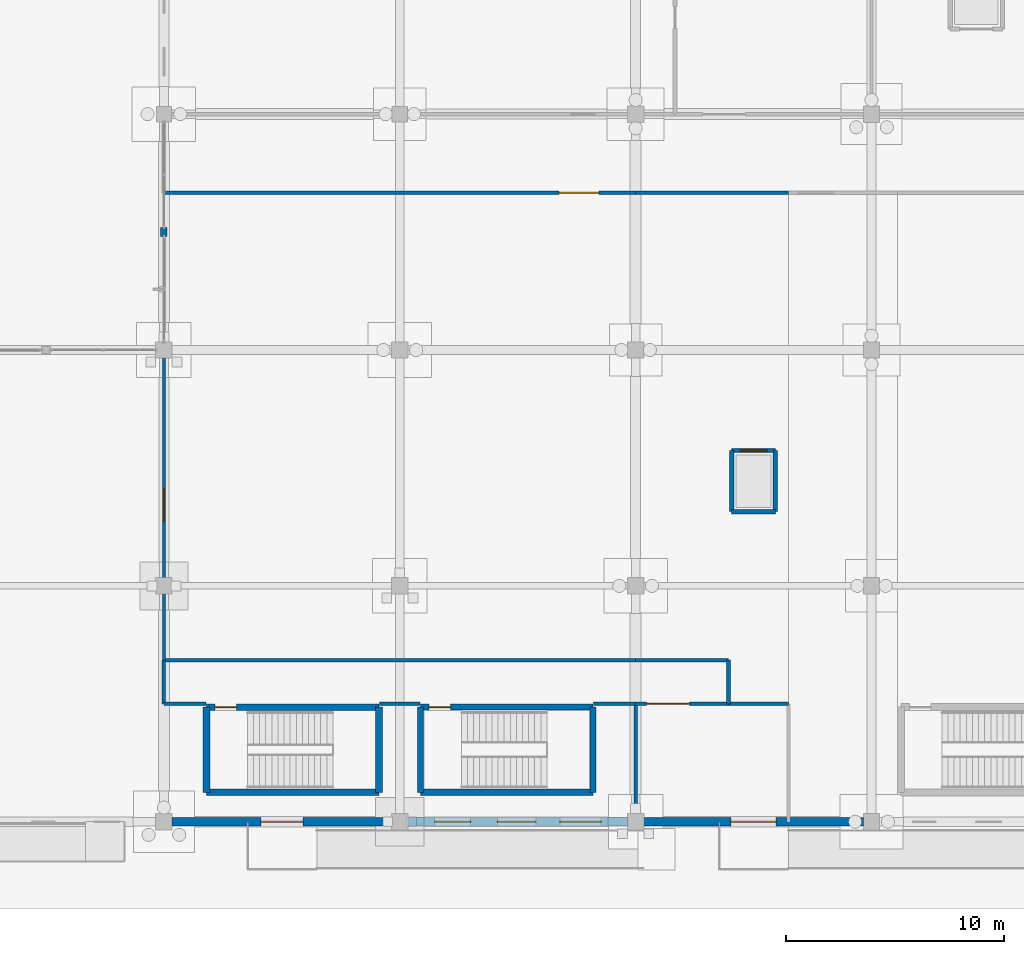
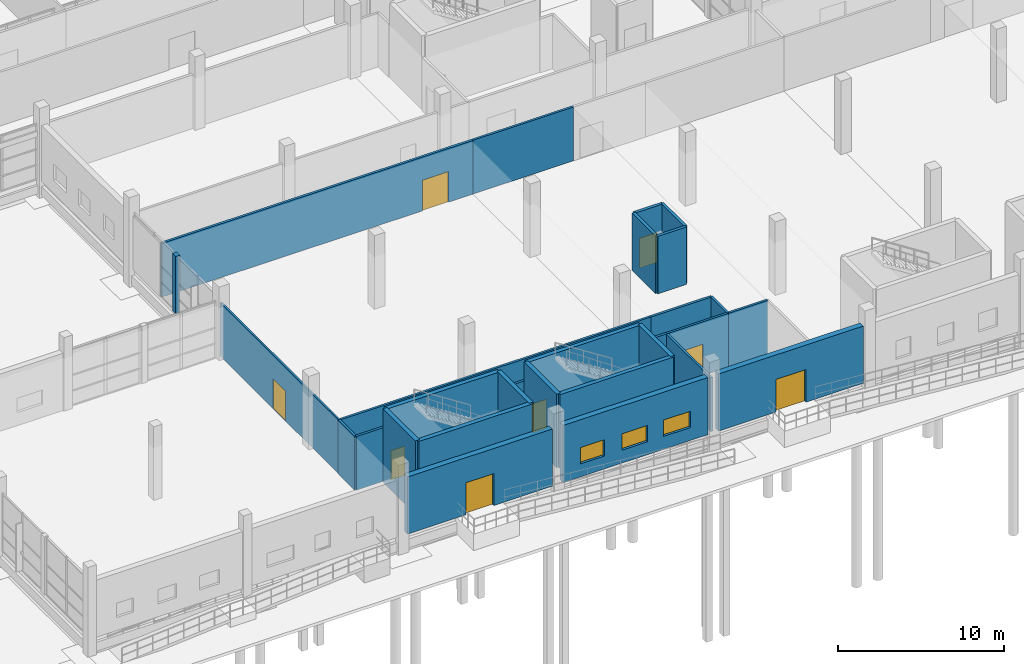
# One storey, part 107 of 138: 29 walls, 8 doors, 3 windows, 11 openings.
"""IFC4 building model written with IfcOpenShell, lengths in metres."""

from ifc_helpers import new_model, si_unit, direction, frame, frame_2d, origin, place, context, subcontext, project, spatial, rectangle, extrude, material, layer, layer_set, type_object, element, fill, save


model = new_model("IFC4")

# Units and contexts
model_context = context("Model", 3, precision=1e-05, world=origin(), true_north=direction((0.0, 1.0)))
body_context = subcontext(model_context, "Body", "Model", "MODEL_VIEW")
ifc_project = project(units=[si_unit("LENGTHUNIT", "METRE"), si_unit("AREAUNIT", "SQUARE_METRE"), si_unit("VOLUMEUNIT", "CUBIC_METRE"), si_unit("PLANEANGLEUNIT", "RADIAN"), si_unit("MASSUNIT", "GRAM", prefix="KILO")], contexts=[model_context])

# Site, building, storey
site_placement = place(None, origin())
site = spatial("IfcSite", under=ifc_project, at=site_placement, CompositionType="ELEMENT")
building_placement = place(site_placement, origin())
building = spatial("IfcBuilding", under=site, at=building_placement, Name="Zwinboog Wholesale Market", CompositionType="ELEMENT")
storey_placement = place(building_placement, origin())
storey = spatial("IfcBuildingStorey", under=building, at=storey_placement, Name="L00", CompositionType="ELEMENT", Elevation=0.0)

# Wall, opening, door
ifc_material_1 = material(Name="Precast concrete C45/55", Category="concrete")
ifc_layer_1 = layer(ifc_material_1, 0.389892578125)
ifc_layer_set_1 = layer_set([ifc_layer_1], Name="Precast concrete C45/55")
wall_type_1 = type_object("IfcWallType", Name="WT-EW-390", PredefinedType="STANDARD", material=ifc_layer_set_1)
wall_1_placement = place(storey_placement, frame((129.969970703125, 0.0, 0.0), z_axis=(0.0, 0.0, 1.0), x_axis=(1.0, 0.0, 0.0)))
wall_1 = element("IfcWall", 1, at=wall_1_placement, inside=storey, type_object=wall_type_1, Name="EW-02 (WL-EW-L00-051)", PredefinedType="STANDARD", context=body_context, shape_type="SweptSolid", body=[
    extrude(rectangle(XDim=10.06005859375, YDim=0.389892578125, at=frame_2d((5.030029296875, 0.0))), origin(), (0.0, 0.0, 1.0), 4.197998046875),
])
opening_1_placement = place(wall_1_placement, frame((4.070068359375, 0.0, 0.0)))
opening_1 = element("IfcOpeningElement", 2, at=opening_1_placement, cuts=wall_1, Name="Opening EX-09", PredefinedType="OPENING", context=body_context, shape_type="SweptSolid", body=[
    extrude(rectangle(XDim=1.919921875, YDim=2.35009765625, at=frame_2d((0.9599609375, 1.175048828125))), frame((0.0, 0.204833984375, 0.0), z_axis=(0.0, -1.0, 0.0), x_axis=(1.0, 0.0, 0.0)), (0.0, 0.0, 1.0), 0.409912109375),
])
ifc_material_2 = material(Name="Insulated powder-coated steel and aluminium door", Category="steel")
door_type_1 = type_object("IfcDoorType", Name="EDT-EX-192", OperationType="DOUBLE_DOOR_SINGLE_SWING", PredefinedType="DOOR", material=ifc_material_2)
door_1_placement = place(opening_1_placement, frame((1.919921875, 0.0, 0.0), z_axis=(0.0, 0.0, 1.0), x_axis=(-1.0, 0.0, 0.0)))
door_1 = element("IfcDoor", 3, at=door_1_placement, inside=storey, type_object=door_type_1, Name="Pedestrian Exit Door EX-09", OperationType="DOUBLE_DOOR_SINGLE_SWING", OverallHeight=2.35009765625, OverallWidth=1.919921875, PredefinedType="DOOR", context=body_context, shape_type="SweptSolid", body=[
    extrude(rectangle(XDim=1.919921875, YDim=2.35009765625, at=frame_2d((0.9599609375, 1.175048828125))), frame((0.0, 0.02490234375, 0.0), z_axis=(0.0, -1.0, 0.0), x_axis=(1.0, 0.0, 0.0)), (0.0, 0.0, 1.0), 0.050048828125),
])
fill(opening_1, door_1)

# Wall, openings, windows
wall_2_placement = place(storey_placement, frame((140.77001953125, 0.0, 0.0), z_axis=(0.0, 0.0, 1.0), x_axis=(1.0, 0.0, 0.0)))
wall_2 = element("IfcWall", 4, at=wall_2_placement, inside=storey, type_object=wall_type_1, Name="EW-02 (WL-EW-L00-055)", PredefinedType="STANDARD", context=body_context, shape_type="SweptSolid", body=[
    extrude(rectangle(XDim=10.06005859375, YDim=0.389892578125, at=frame_2d((5.030029296875, 0.0))), origin(), (0.0, 0.0, 1.0), 4.197998046875),
])
opening_2_placement = place(wall_2_placement, frame((1.22509765625, 0.0, 0.949951171875)))
opening_2 = element("IfcOpeningElement", 5, at=opening_2_placement, cuts=wall_2, Name="Opening WN-22", PredefinedType="OPENING", context=body_context, shape_type="SweptSolid", body=[
    extrude(rectangle(XDim=1.64990234375, YDim=1.199951171875, at=frame_2d((0.824951171875, 0.60009765625))), frame((0.0, 0.204833984375, 0.0), z_axis=(0.0, -1.0, 0.0), x_axis=(1.0, 0.0, 0.0)), (0.0, 0.0, 1.0), 0.409912109375),
])
opening_3_placement = place(wall_2_placement, frame((4.094970703125, 0.0, 0.949951171875)))
opening_3 = element("IfcOpeningElement", 6, at=opening_3_placement, cuts=wall_2, Name="Opening WN-23", PredefinedType="OPENING", context=body_context, shape_type="SweptSolid", body=[
    extrude(rectangle(XDim=1.77001953125, YDim=1.199951171875, at=frame_2d((0.885009765625, 0.60009765625))), frame((0.0, 0.204833984375, 0.0), z_axis=(0.0, -1.0, 0.0), x_axis=(1.0, 0.0, 0.0)), (0.0, 0.0, 1.0), 0.409912109375),
])
opening_4_placement = place(wall_2_placement, frame((6.965087890625, 0.0, 0.949951171875)))
opening_4 = element("IfcOpeningElement", 7, at=opening_4_placement, cuts=wall_2, Name="Opening WN-24", PredefinedType="OPENING", context=body_context, shape_type="SweptSolid", body=[
    extrude(rectangle(XDim=1.889892578125, YDim=1.199951171875, at=frame_2d((0.94482421875, 0.60009765625))), frame((0.0, 0.204833984375, 0.0), z_axis=(0.0, -1.0, 0.0), x_axis=(1.0, 0.0, 0.0)), (0.0, 0.0, 1.0), 0.409912109375),
])
ifc_material_3 = material(Name="Thermally broken aluminium low-e window", Category="aluminium")
window_type_1 = type_object("IfcWindowType", Name="WNT-22", PartitioningType="SINGLE_PANEL", PredefinedType="WINDOW", material=ifc_material_3)
window_1_placement = place(opening_2_placement, frame((1.64990234375, 0.0, 0.0), z_axis=(0.0, 0.0, 1.0), x_axis=(-1.0, 0.0, 0.0)))
window_1 = element("IfcWindow", 8, at=window_1_placement, inside=storey, type_object=window_type_1, Name="WN-22 (WIN-L00-0022)", OverallHeight=1.199951171875, OverallWidth=1.64990234375, PartitioningType="SINGLE_PANEL", PredefinedType="WINDOW", context=body_context, shape_type="SweptSolid", body=[
    extrude(rectangle(XDim=1.64990234375, YDim=1.199951171875, at=frame_2d((0.824951171875, 0.60009765625))), frame((0.0, 0.030029296875, 0.0), z_axis=(0.0, -1.0, 0.0), x_axis=(1.0, 0.0, 0.0)), (0.0, 0.0, 1.0), 0.06005859375),
])
fill(opening_2, window_1)
window_type_2 = type_object("IfcWindowType", Name="WNT-23", PartitioningType="SINGLE_PANEL", PredefinedType="WINDOW", material=ifc_material_3)
window_2_placement = place(opening_3_placement, frame((1.77001953125, 0.0, 0.0), z_axis=(0.0, 0.0, 1.0), x_axis=(-1.0, 0.0, 0.0)))
window_2 = element("IfcWindow", 9, at=window_2_placement, inside=storey, type_object=window_type_2, Name="WN-23 (WIN-L00-0023)", OverallHeight=1.199951171875, OverallWidth=1.77001953125, PartitioningType="SINGLE_PANEL", PredefinedType="WINDOW", context=body_context, shape_type="SweptSolid", body=[
    extrude(rectangle(XDim=1.77001953125, YDim=1.199951171875, at=frame_2d((0.885009765625, 0.60009765625))), frame((0.0, 0.030029296875, 0.0), z_axis=(0.0, -1.0, 0.0), x_axis=(1.0, 0.0, 0.0)), (0.0, 0.0, 1.0), 0.06005859375),
])
fill(opening_3, window_2)
window_type_3 = type_object("IfcWindowType", Name="WNT-24", PartitioningType="SINGLE_PANEL", PredefinedType="WINDOW", material=ifc_material_3)
window_3_placement = place(opening_4_placement, frame((1.889892578125, 0.0, 0.0), z_axis=(0.0, 0.0, 1.0), x_axis=(-1.0, 0.0, 0.0)))
window_3 = element("IfcWindow", 10, at=window_3_placement, inside=storey, type_object=window_type_3, Name="WN-24 (WIN-L00-0024)", OverallHeight=1.199951171875, OverallWidth=1.889892578125, PartitioningType="SINGLE_PANEL", PredefinedType="WINDOW", context=body_context, shape_type="SweptSolid", body=[
    extrude(rectangle(XDim=1.889892578125, YDim=1.199951171875, at=frame_2d((0.94482421875, 0.60009765625))), frame((0.0, 0.030029296875, 0.0), z_axis=(0.0, -1.0, 0.0), x_axis=(1.0, 0.0, 0.0)), (0.0, 0.0, 1.0), 0.06005859375),
])
fill(opening_4, window_3)

# Wall, opening, door
wall_3_placement = place(storey_placement, frame((151.570068359375, 0.0, 0.0), z_axis=(0.0, 0.0, 1.0), x_axis=(1.0, 0.0, 0.0)))
wall_3 = element("IfcWall", 11, at=wall_3_placement, inside=storey, type_object=wall_type_1, Name="EW-02 (WL-EW-L00-057)", PredefinedType="STANDARD", context=body_context, shape_type="SweptSolid", body=[
    extrude(rectangle(XDim=10.059814453125, YDim=0.389892578125, at=frame_2d((5.02978515625, 0.0))), origin(), (0.0, 0.0, 1.0), 4.197998046875),
])
opening_5_placement = place(wall_3_placement, frame((4.0, 0.0, 0.0)))
opening_5 = element("IfcOpeningElement", 12, at=opening_5_placement, cuts=wall_3, Name="Opening EX-10", PredefinedType="OPENING", context=body_context, shape_type="SweptSolid", body=[
    extrude(rectangle(XDim=2.06005859375, YDim=2.39990234375, at=frame_2d((1.030029296875, 1.199951171875))), frame((0.0, 0.204833984375, 0.0), z_axis=(0.0, -1.0, 0.0), x_axis=(1.0, 0.0, 0.0)), (0.0, 0.0, 1.0), 0.409912109375),
])
door_type_2 = type_object("IfcDoorType", Name="EDT-EX-206", OperationType="DOUBLE_DOOR_SINGLE_SWING", PredefinedType="DOOR", material=ifc_material_2)
door_2_placement = place(opening_5_placement, frame((2.06005859375, 0.0, 0.0), z_axis=(0.0, 0.0, 1.0), x_axis=(-1.0, 0.0, 0.0)))
door_2 = element("IfcDoor", 13, at=door_2_placement, inside=storey, type_object=door_type_2, Name="Pedestrian Exit Door EX-10", OperationType="DOUBLE_DOOR_SINGLE_SWING", OverallHeight=2.39990234375, OverallWidth=2.06005859375, PredefinedType="DOOR", context=body_context, shape_type="SweptSolid", body=[
    extrude(rectangle(XDim=2.06005859375, YDim=2.39990234375, at=frame_2d((1.030029296875, 1.199951171875))), frame((0.0, 0.02490234375, 0.0), z_axis=(0.0, -1.0, 0.0), x_axis=(1.0, 0.0, 0.0)), (0.0, 0.0, 1.0), 0.050048828125),
])
fill(opening_5, door_2)

# Walls
ifc_layer_2 = layer(ifc_material_1, 0.304931640625)
ifc_layer_set_2 = layer_set([ifc_layer_2], Name="Precast concrete C45/55")
wall_type_2 = type_object("IfcWallType", Name="WT-EW-305", PredefinedType="STANDARD", material=ifc_layer_set_2)
wall_4_placement = place(storey_placement, frame((129.60009765625, 26.800048828125, 0.0), z_axis=(0.0, 0.0, 1.0), x_axis=(0.0, 1.0, 0.0)))
element("IfcWall", 14, at=wall_4_placement, inside=storey, type_object=wall_type_2, Name="EW-07 (WL-PIER-L00-052)", PredefinedType="STANDARD", context=body_context, shape_type="SweptSolid", body=[
    extrude(rectangle(XDim=0.39990234375, YDim=0.304931640625, at=frame_2d((0.199951171875, 0.0))), origin(), (0.0, 0.0, 1.0), 4.197998046875),
])
ifc_material_4 = material(Name="Concrete C40/50", Category="concrete")
ifc_layer_3 = layer(ifc_material_4, 0.280029296875)
ifc_layer_set_3 = layer_set([ifc_layer_3], Name="Concrete C40/50")
wall_type_3 = type_object("IfcWallType", Name="WT-SW-280", PredefinedType="SHEAR", material=ifc_layer_set_3)
wall_5_placement = place(storey_placement, frame((141.35009765625, 1.35009765625, 0.0), z_axis=(0.0, 0.0, 1.0), x_axis=(1.0, 0.0, 0.0)))
element("IfcWall", 15, at=wall_5_placement, inside=storey, type_object=wall_type_3, Name="SW-01 (WL-SW-L00-129)", PredefinedType="SHEAR", context=body_context, shape_type="SweptSolid", body=[
    extrude(rectangle(XDim=7.89990234375, YDim=0.280029296875, at=frame_2d((3.949951171875, 0.0))), origin(), (0.0, 0.0, 1.0), 5.39990234375),
])

# Wall, opening, door
wall_6_placement = place(storey_placement, frame((141.35009765625, 5.25, 0.0), z_axis=(0.0, 0.0, 1.0), x_axis=(1.0, 0.0, 0.0)))
wall_6 = element("IfcWall", 16, at=wall_6_placement, inside=storey, type_object=wall_type_3, Name="SW-01 (WL-SW-L00-130)", PredefinedType="SHEAR", context=body_context, shape_type="SweptSolid", body=[
    extrude(rectangle(XDim=7.89990234375, YDim=0.280029296875, at=frame_2d((3.949951171875, 0.0))), origin(), (0.0, 0.0, 1.0), 5.39990234375),
])
opening_6_placement = place(wall_6_placement, frame((0.3798828125, 0.0, 0.0)))
opening_6 = element("IfcOpeningElement", 17, at=opening_6_placement, cuts=wall_6, Name="Opening FD-0033", PredefinedType="OPENING", context=body_context, shape_type="SweptSolid", body=[
    extrude(rectangle(XDim=1.0, YDim=2.14990234375, at=frame_2d((0.5, 1.074951171875))), frame((0.0, 0.14990234375, 0.0), z_axis=(0.0, -1.0, 0.0), x_axis=(1.0, 0.0, 0.0)), (0.0, 0.0, 1.0), 0.300048828125),
])
ifc_material_5 = material(Name="Timber and powder-coated steel door leaf", Category="steel")
door_type_3 = type_object("IfcDoorType", Name="IDT-FD-01", OperationType="NOTDEFINED", PredefinedType="DOOR", material=ifc_material_5)
door_3_placement = place(opening_6_placement, frame((1.0, 0.0, 0.0), z_axis=(0.0, 0.0, 1.0), x_axis=(-1.0, 0.0, 0.0)))
door_3 = element("IfcDoor", 18, at=door_3_placement, inside=storey, type_object=door_type_3, Name="Core Fire Door FD-0033", OperationType="SINGLE_SWING_RIGHT", OverallHeight=2.14990234375, OverallWidth=1.0, PredefinedType="DOOR", context=body_context, shape_type="SweptSolid", body=[
    extrude(rectangle(XDim=1.0, YDim=2.14990234375, at=frame_2d((0.5, 1.074951171875))), frame((0.0, 0.02490234375, 0.0), z_axis=(0.0, -1.0, 0.0), x_axis=(1.0, 0.0, 0.0)), (0.0, 0.0, 1.0), 0.050048828125),
])
fill(opening_6, door_3)

# Walls
for number, where, z_axis, x_axis, name in (
    (19, (141.35009765625, 1.35009765625, 0.0), (0.0, 0.0, 1.0), (0.0, 1.0, 0.0), "SW-01 (WL-SW-L00-131)"),
    (20, (149.25, 1.35009765625, 0.0), (0.0, 0.0, 1.0), (0.0, 1.0, 0.0), "SW-01 (WL-SW-L00-132)"),
):
    element("IfcWall", number, at=place(storey_placement, frame(where, z_axis=z_axis, x_axis=x_axis)), inside=storey, type_object=wall_type_3, Name=name, PredefinedType="SHEAR", context=body_context, shape_type="SweptSolid", body=[
        extrude(rectangle(XDim=3.89990234375, YDim=0.280029296875, at=frame_2d((1.949951171875, 0.0))), origin(), (0.0, 0.0, 1.0), 5.39990234375),
    ])
ifc_layer_4 = layer(ifc_material_4, 0.300048828125)
ifc_layer_set_4 = layer_set([ifc_layer_4], Name="Concrete C40/50")
wall_type_4 = type_object("IfcWallType", Name="WT-SW-300", PredefinedType="SHEAR", material=ifc_layer_set_4)
wall_7_placement = place(storey_placement, frame((131.550048828125, 1.35009765625, 0.0), z_axis=(0.0, 0.0, 1.0), x_axis=(1.0, 0.0, 0.0)))
element("IfcWall", 21, at=wall_7_placement, inside=storey, type_object=wall_type_4, Name="SW-02 (WL-SW-L00-081)", PredefinedType="SHEAR", context=body_context, shape_type="SweptSolid", body=[
    extrude(rectangle(XDim=7.89990234375, YDim=0.300048828125, at=frame_2d((3.949951171875, 0.0))), origin(), (0.0, 0.0, 1.0), 5.39990234375),
])

# Wall, opening, door
wall_8_placement = place(storey_placement, frame((131.550048828125, 5.25, 0.0), z_axis=(0.0, 0.0, 1.0), x_axis=(1.0, 0.0, 0.0)))
wall_8 = element("IfcWall", 22, at=wall_8_placement, inside=storey, type_object=wall_type_4, Name="SW-02 (WL-SW-L00-082)", PredefinedType="SHEAR", context=body_context, shape_type="SweptSolid", body=[
    extrude(rectangle(XDim=7.89990234375, YDim=0.300048828125, at=frame_2d((3.949951171875, 0.0))), origin(), (0.0, 0.0, 1.0), 5.39990234375),
])
opening_7_placement = place(wall_8_placement, frame((0.3798828125, 0.0, 0.0)))
opening_7 = element("IfcOpeningElement", 23, at=opening_7_placement, cuts=wall_8, Name="Opening FD-0021", PredefinedType="OPENING", context=body_context, shape_type="SweptSolid", body=[
    extrude(rectangle(XDim=1.0, YDim=2.14990234375, at=frame_2d((0.5, 1.074951171875))), frame((0.0, 0.159912109375, 0.0), z_axis=(0.0, -1.0, 0.0), x_axis=(1.0, 0.0, 0.0)), (0.0, 0.0, 1.0), 0.320068359375),
])
door_4_placement = place(opening_7_placement, frame((1.0, 0.0, 0.0), z_axis=(0.0, 0.0, 1.0), x_axis=(-1.0, 0.0, 0.0)))
door_4 = element("IfcDoor", 24, at=door_4_placement, inside=storey, type_object=door_type_3, Name="Core Fire Door FD-0021", OperationType="SINGLE_SWING_RIGHT", OverallHeight=2.14990234375, OverallWidth=1.0, PredefinedType="DOOR", context=body_context, shape_type="SweptSolid", body=[
    extrude(rectangle(XDim=1.0, YDim=2.14990234375, at=frame_2d((0.5, 1.074951171875))), frame((0.0, 0.02490234375, 0.0), z_axis=(0.0, -1.0, 0.0), x_axis=(1.0, 0.0, 0.0)), (0.0, 0.0, 1.0), 0.050048828125),
])
fill(opening_7, door_4)

# Walls
for number, where, z_axis, x_axis, name in (
    (25, (131.550048828125, 1.35009765625, 0.0), (0.0, 0.0, 1.0), (0.0, 1.0, 0.0), "SW-02 (WL-SW-L00-083)"),
    (26, (139.449951171875, 1.35009765625, 0.0), (0.0, 0.0, 1.0), (0.0, 1.0, 0.0), "SW-02 (WL-SW-L00-084)"),
):
    element("IfcWall", number, at=place(storey_placement, frame(where, z_axis=z_axis, x_axis=x_axis)), inside=storey, type_object=wall_type_4, Name=name, PredefinedType="SHEAR", context=body_context, shape_type="SweptSolid", body=[
        extrude(rectangle(XDim=3.89990234375, YDim=0.300048828125, at=frame_2d((1.949951171875, 0.0))), origin(), (0.0, 0.0, 1.0), 5.39990234375),
    ])
ifc_layer_5 = layer(ifc_material_1, 0.199951171875)
ifc_layer_set_5 = layer_set([ifc_layer_5], Name="Precast concrete C45/55")
wall_type_5 = type_object("IfcWallType", Name="WT-IW-200", PredefinedType="SOLIDWALL", material=ifc_layer_set_5)
wall_9_placement = place(storey_placement, frame((155.60009765625, 14.199951171875, 0.0), z_axis=(0.0, 0.0, 1.0), x_axis=(1.0, 0.0, 0.0)))
element("IfcWall", 27, at=wall_9_placement, inside=storey, type_object=wall_type_5, Name="IW-60 (WL-LSH-L00-213)", PredefinedType="SOLIDWALL", context=body_context, shape_type="SweptSolid", body=[
    extrude(rectangle(XDim=2.0, YDim=0.199951171875, at=frame_2d((1.0, 0.0))), origin(), (0.0, 0.0, 1.0), 4.219970703125),
])

# Wall, opening, door
wall_10_placement = place(storey_placement, frame((155.60009765625, 17.0, 0.0), z_axis=(0.0, 0.0, 1.0), x_axis=(1.0, 0.0, 0.0)))
wall_10 = element("IfcWall", 28, at=wall_10_placement, inside=storey, type_object=wall_type_5, Name="IW-60 (WL-LSH-L00-214)", PredefinedType="SOLIDWALL", context=body_context, shape_type="SweptSolid", body=[
    extrude(rectangle(XDim=2.0, YDim=0.199951171875, at=frame_2d((1.0, 0.0))), origin(), (0.0, 0.0, 1.0), 4.219970703125),
])
opening_8_placement = place(wall_10_placement, frame((0.389892578125, 0.0, 0.0)))
opening_8 = element("IfcOpeningElement", 29, at=opening_8_placement, cuts=wall_10, Name="Opening LD-012", PredefinedType="OPENING", context=body_context, shape_type="SweptSolid", body=[
    extrude(rectangle(XDim=1.219970703125, YDim=2.199951171875, at=frame_2d((0.60986328125, 1.10009765625))), frame((0.0, 0.10986328125, 0.0), z_axis=(0.0, -1.0, 0.0), x_axis=(1.0, 0.0, 0.0)), (0.0, 0.0, 1.0), 0.219970703125),
])
door_type_4 = type_object("IfcDoorType", Name="IDT-LD-120", OperationType="DOUBLE_DOOR_SLIDING", PredefinedType="DOOR", material=ifc_material_5)
door_5_placement = place(opening_8_placement, origin())
door_5 = element("IfcDoor", 30, at=door_5_placement, inside=storey, type_object=door_type_4, Name="Lift Landing Door LD-012 (LP-06)", OperationType="DOUBLE_DOOR_SLIDING", OverallHeight=2.199951171875, OverallWidth=1.219970703125, PredefinedType="DOOR", context=body_context, shape_type="SweptSolid", body=[
    extrude(rectangle(XDim=1.219970703125, YDim=2.199951171875, at=frame_2d((0.60986328125, 1.10009765625))), frame((0.0, 0.02490234375, 0.0), z_axis=(0.0, -1.0, 0.0), x_axis=(1.0, 0.0, 0.0)), (0.0, 0.0, 1.0), 0.050048828125),
])
fill(opening_8, door_5)

# Walls
for number, where, z_axis, x_axis, name in (
    (31, (155.60009765625, 14.199951171875, 0.0), (0.0, 0.0, 1.0), (0.0, 1.0, 0.0), "IW-60 (WL-LSH-L00-215)"),
    (32, (157.60009765625, 14.199951171875, 0.0), (0.0, 0.0, 1.0), (0.0, 1.0, 0.0), "IW-60 (WL-LSH-L00-216)"),
):
    element("IfcWall", number, at=place(storey_placement, frame(where, z_axis=z_axis, x_axis=x_axis)), inside=storey, type_object=wall_type_5, Name=name, PredefinedType="SOLIDWALL", context=body_context, shape_type="SweptSolid", body=[
        extrude(rectangle(XDim=2.800048828125, YDim=0.199951171875, at=frame_2d((1.39990234375, 0.0))), origin(), (0.0, 0.0, 1.0), 4.219970703125),
    ])

# Wall, opening, door
ifc_material_6 = material(Name="Gypsum acoustic stud partition")
ifc_layer_6 = layer(ifc_material_6, 0.1240234375)
ifc_layer_set_6 = layer_set([ifc_layer_6], Name="Gypsum acoustic stud partition")
wall_type_6 = type_object("IfcWallType", Name="WT-PT-124", PredefinedType="PARTITIONING", material=ifc_layer_set_6)
wall_11_placement = place(storey_placement, frame((129.60009765625, 7.39990234375, 0.0), z_axis=(0.0, 0.0, 1.0), x_axis=(0.0, 1.0, 0.0)))
wall_11 = element("IfcWall", 33, at=wall_11_placement, inside=storey, type_object=wall_type_6, Name="PW-02 (WL-IN-L00-0083)", PredefinedType="PARTITIONING", context=body_context, shape_type="SweptSolid", body=[
    extrude(rectangle(XDim=14.2001953125, YDim=0.1240234375, at=frame_2d((7.10009765625, 0.0))), origin(), (0.0, 0.0, 1.0), 3.949951171875),
])
opening_9_placement = place(wall_11_placement, frame((6.360107421875, 0.0, 0.0)))
opening_9 = element("IfcOpeningElement", 34, at=opening_9_placement, cuts=wall_11, Name="Opening D-0040", PredefinedType="OPENING", context=body_context, shape_type="SweptSolid", body=[
    extrude(rectangle(XDim=1.47998046875, YDim=2.199951171875, at=frame_2d((0.739990234375, 1.10009765625))), frame((0.0, 0.072021484375, 0.0), z_axis=(0.0, -1.0, 0.0), x_axis=(1.0, 0.0, 0.0)), (0.0, 0.0, 1.0), 0.14404296875),
])
door_type_5 = type_object("IfcDoorType", Name="IDT-DB-01", OperationType="DOUBLE_DOOR_SINGLE_SWING", PredefinedType="DOOR", material=ifc_material_5)
door_6_placement = place(opening_9_placement, origin())
door_6 = element("IfcDoor", 35, at=door_6_placement, inside=storey, type_object=door_type_5, Name="Interior Door D-0040", OperationType="DOUBLE_DOOR_SINGLE_SWING", OverallHeight=2.199951171875, OverallWidth=1.47998046875, PredefinedType="DOOR", context=body_context, shape_type="SweptSolid", body=[
    extrude(rectangle(XDim=1.47998046875, YDim=2.199951171875, at=frame_2d((0.739990234375, 1.10009765625))), frame((0.0, 0.02490234375, 0.0), z_axis=(0.0, -1.0, 0.0), x_axis=(1.0, 0.0, 0.0)), (0.0, 0.0, 1.0), 0.050048828125),
])
fill(opening_9, door_6)

ifc_material_7 = material(Name="Fire-rated corridor stud partition")
ifc_layer_7 = layer(ifc_material_7, 0.154052734375)
ifc_layer_set_7 = layer_set([ifc_layer_7], Name="Fire-rated corridor stud partition")
wall_type_7 = type_object("IfcWallType", Name="WT-PT-154", PredefinedType="PARTITIONING", material=ifc_layer_set_7)
wall_12_placement = place(storey_placement, frame((151.199951171875, 5.39990234375, 0.0), z_axis=(0.0, 0.0, 1.0), x_axis=(1.0, 0.0, 0.0)))
wall_12 = element("IfcWall", 36, at=wall_12_placement, inside=storey, type_object=wall_type_7, Name="PW-04 (WL-IN-L00-0005)", PredefinedType="PARTITIONING", context=body_context, shape_type="SweptSolid", body=[
    extrude(rectangle(XDim=4.25, YDim=0.154052734375, at=frame_2d((2.125, 0.0))), origin(), (0.0, 0.0, 1.0), 3.949951171875),
])
opening_10_placement = place(wall_12_placement, frame((0.507568359375, 0.0, 0.0)))
opening_10 = element("IfcOpeningElement", 37, at=opening_10_placement, cuts=wall_12, Name="Opening IDF-0005", PredefinedType="OPENING", context=body_context, shape_type="SweptSolid", body=[
    extrude(rectangle(XDim=1.9599609375, YDim=2.300048828125, at=frame_2d((0.97998046875, 1.14990234375))), frame((0.0, 0.0869140625, 0.0), z_axis=(0.0, -1.0, 0.0), x_axis=(1.0, 0.0, 0.0)), (0.0, 0.0, 1.0), 0.174072265625),
])
door_type_6 = type_object("IfcDoorType", Name="IDT-FD-05", OperationType="DOUBLE_DOOR_SINGLE_SWING", PredefinedType="DOOR", material=ifc_material_5)
door_7_placement = place(opening_10_placement, origin())
door_7 = element("IfcDoor", 38, at=door_7_placement, inside=storey, type_object=door_type_6, Name="Interior Door IDF-0005", OperationType="DOUBLE_DOOR_SINGLE_SWING", OverallHeight=2.300048828125, OverallWidth=1.9599609375, PredefinedType="DOOR", context=body_context, shape_type="SweptSolid", body=[
    extrude(rectangle(XDim=1.9599609375, YDim=2.300048828125, at=frame_2d((0.97998046875, 1.14990234375))), frame((0.0, 0.02490234375, 0.0), z_axis=(0.0, -1.0, 0.0), x_axis=(1.0, 0.0, 0.0)), (0.0, 0.0, 1.0), 0.050048828125),
])
fill(opening_10, door_7)

# Walls
wall_13_placement = place(storey_placement, frame((129.60009765625, 7.39990234375, 0.0), z_axis=(0.0, 0.0, 1.0), x_axis=(1.0, 0.0, 0.0)))
element("IfcWall", 39, at=wall_13_placement, inside=storey, type_object=wall_type_7, Name="PW-04 (WL-IN-L00-0029)", PredefinedType="PARTITIONING", context=body_context, shape_type="SweptSolid", body=[
    extrude(rectangle(XDim=21.599853515625, YDim=0.154052734375, at=frame_2d((10.7998046875, 0.0))), origin(), (0.0, 0.0, 1.0), 3.949951171875),
])
wall_14_placement = place(storey_placement, frame((151.199951171875, 0.0, 0.0), z_axis=(0.0, 0.0, 1.0), x_axis=(0.0, 1.0, 0.0)))
element("IfcWall", 40, at=wall_14_placement, inside=storey, type_object=wall_type_7, Name="PW-04 (WL-IN-L00-0087)", PredefinedType="PARTITIONING", context=body_context, shape_type="SweptSolid", body=[
    extrude(rectangle(XDim=5.39990234375, YDim=0.154052734375, at=frame_2d((2.699951171875, 0.0))), origin(), (0.0, 0.0, 1.0), 3.949951171875),
])
wall_15_placement = place(storey_placement, frame((151.199951171875, 28.800048828125, 0.0), z_axis=(0.0, 0.0, 1.0), x_axis=(1.0, 0.0, 0.0)))
element("IfcWall", 41, at=wall_15_placement, inside=storey, type_object=wall_type_7, Name="PW-04 (WL-IN-L00-0089)", PredefinedType="PARTITIONING", context=body_context, shape_type="SweptSolid", body=[
    extrude(rectangle(XDim=7.0, YDim=0.154052734375, at=frame_2d((3.5, 0.0))), origin(), (0.0, 0.0, 1.0), 3.949951171875),
])
wall_16_placement = place(storey_placement, frame((155.449951171875, 5.39990234375, 0.0), z_axis=(0.0, 0.0, 1.0), x_axis=(1.0, 0.0, 0.0)))
element("IfcWall", 42, at=wall_16_placement, inside=storey, type_object=wall_type_7, Name="PW-04 (WL-IN-L00-0097)", PredefinedType="PARTITIONING", context=body_context, shape_type="SweptSolid", body=[
    extrude(rectangle(XDim=2.75, YDim=0.154052734375, at=frame_2d((1.375, 0.0))), origin(), (0.0, 0.0, 1.0), 3.949951171875),
])
ifc_material_8 = material(Name="Laboratory acoustic partition")
ifc_layer_8 = layer(ifc_material_8, 0.16796875)
ifc_layer_set_8 = layer_set([ifc_layer_8], Name="Laboratory acoustic partition")
wall_type_8 = type_object("IfcWallType", Name="WT-PT-168", PredefinedType="PARTITIONING", material=ifc_layer_set_8)
wall_17_placement = place(storey_placement, frame((129.60009765625, 5.39990234375, 0.0), z_axis=(0.0, 0.0, 1.0), x_axis=(0.0, 1.0, 0.0)))
element("IfcWall", 43, at=wall_17_placement, inside=storey, type_object=wall_type_8, Name="PW-05 (WL-IN-L00-0028)", PredefinedType="PARTITIONING", context=body_context, shape_type="SweptSolid", body=[
    extrude(rectangle(XDim=2.0, YDim=0.16796875, at=frame_2d((1.0, 0.0))), origin(), (0.0, 0.0, 1.0), 3.949951171875),
])

# Wall, opening, door
wall_18_placement = place(storey_placement, frame((129.60009765625, 28.800048828125, 0.0), z_axis=(0.0, 0.0, 1.0), x_axis=(1.0, 0.0, 0.0)))
wall_18 = element("IfcWall", 44, at=wall_18_placement, inside=storey, type_object=wall_type_8, Name="PW-05 (WL-IN-L00-0030)", PredefinedType="PARTITIONING", context=body_context, shape_type="SweptSolid", body=[
    extrude(rectangle(XDim=21.599853515625, YDim=0.16796875, at=frame_2d((10.7998046875, 0.0))), origin(), (0.0, 0.0, 1.0), 3.949951171875),
])
opening_11_placement = place(wall_18_placement, frame((18.097900390625, 0.0, 0.0)))
opening_11 = element("IfcOpeningElement", 45, at=opening_11_placement, cuts=wall_18, Name="Opening IDF-0027", PredefinedType="OPENING", context=body_context, shape_type="SweptSolid", body=[
    extrude(rectangle(XDim=1.820068359375, YDim=2.25, at=frame_2d((0.91015625, 1.125))), frame((0.0, 0.093994140625, 0.0), z_axis=(0.0, -1.0, 0.0), x_axis=(1.0, 0.0, 0.0)), (0.0, 0.0, 1.0), 0.18798828125),
])
door_type_7 = type_object("IfcDoorType", Name="IDT-FD-04", OperationType="DOUBLE_DOOR_SINGLE_SWING", PredefinedType="DOOR", material=ifc_material_5)
door_8_placement = place(opening_11_placement, frame((1.820068359375, 0.0, 0.0), z_axis=(0.0, 0.0, 1.0), x_axis=(-1.0, 0.0, 0.0)))
door_8 = element("IfcDoor", 46, at=door_8_placement, inside=storey, type_object=door_type_7, Name="Interior Door IDF-0027", OperationType="DOUBLE_DOOR_SINGLE_SWING", OverallHeight=2.25, OverallWidth=1.820068359375, PredefinedType="DOOR", context=body_context, shape_type="SweptSolid", body=[
    extrude(rectangle(XDim=1.820068359375, YDim=2.25, at=frame_2d((0.91015625, 1.125))), frame((0.0, 0.02490234375, 0.0), z_axis=(0.0, -1.0, 0.0), x_axis=(1.0, 0.0, 0.0)), (0.0, 0.0, 1.0), 0.050048828125),
])
fill(opening_11, door_8)

# Walls
wall_19_placement = place(storey_placement, frame((129.60009765625, 5.39990234375, 0.0), z_axis=(0.0, 0.0, 1.0), x_axis=(1.0, 0.0, 0.0)))
element("IfcWall", 47, at=wall_19_placement, inside=storey, type_object=wall_type_8, Name="PW-05 (WL-IN-L00-0080)", PredefinedType="PARTITIONING", context=body_context, shape_type="SweptSolid", body=[
    extrude(rectangle(XDim=1.929931640625, YDim=0.16796875, at=frame_2d((0.96484375, 0.0))), origin(), (0.0, 0.0, 1.0), 3.949951171875),
])
wall_20_placement = place(storey_placement, frame((139.469970703125, 5.39990234375, 0.0), z_axis=(0.0, 0.0, 1.0), x_axis=(1.0, 0.0, 0.0)))
element("IfcWall", 48, at=wall_20_placement, inside=storey, type_object=wall_type_8, Name="PW-05 (WL-IN-L00-0081)", PredefinedType="PARTITIONING", context=body_context, shape_type="SweptSolid", body=[
    extrude(rectangle(XDim=1.860107421875, YDim=0.16796875, at=frame_2d((0.93017578125, 0.0))), origin(), (0.0, 0.0, 1.0), 3.949951171875),
])
wall_21_placement = place(storey_placement, frame((149.27001953125, 5.39990234375, 0.0), z_axis=(0.0, 0.0, 1.0), x_axis=(1.0, 0.0, 0.0)))
element("IfcWall", 49, at=wall_21_placement, inside=storey, type_object=wall_type_8, Name="PW-05 (WL-IN-L00-0082)", PredefinedType="PARTITIONING", context=body_context, shape_type="SweptSolid", body=[
    extrude(rectangle(XDim=1.929931640625, YDim=0.16796875, at=frame_2d((0.96484375, 0.0))), origin(), (0.0, 0.0, 1.0), 3.949951171875),
])
wall_22_placement = place(storey_placement, frame((151.199951171875, 7.39990234375, 0.0), z_axis=(0.0, 0.0, 1.0), x_axis=(1.0, 0.0, 0.0)))
element("IfcWall", 50, at=wall_22_placement, inside=storey, type_object=wall_type_8, Name="PW-05 (WL-IN-L00-0088)", PredefinedType="PARTITIONING", context=body_context, shape_type="SweptSolid", body=[
    extrude(rectangle(XDim=4.25, YDim=0.16796875, at=frame_2d((2.125, 0.0))), origin(), (0.0, 0.0, 1.0), 3.949951171875),
])
wall_23_placement = place(storey_placement, frame((155.449951171875, 5.39990234375, 0.0), z_axis=(0.0, 0.0, 1.0), x_axis=(0.0, 1.0, 0.0)))
element("IfcWall", 51, at=wall_23_placement, inside=storey, type_object=wall_type_8, Name="PW-05 (WL-IN-L00-0096)", PredefinedType="PARTITIONING", context=body_context, shape_type="SweptSolid", body=[
    extrude(rectangle(XDim=2.0, YDim=0.16796875, at=frame_2d((1.0, 0.0))), origin(), (0.0, 0.0, 1.0), 3.949951171875),
])

save(model, "model.ifc")
